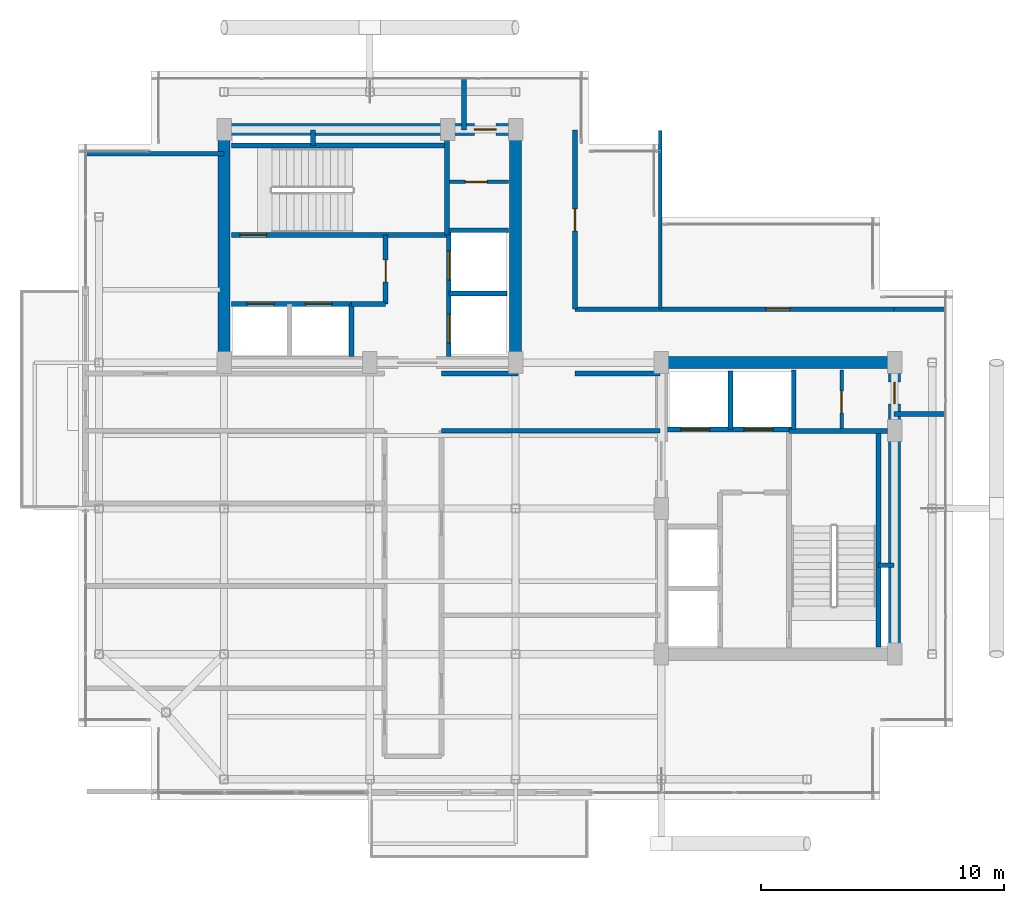
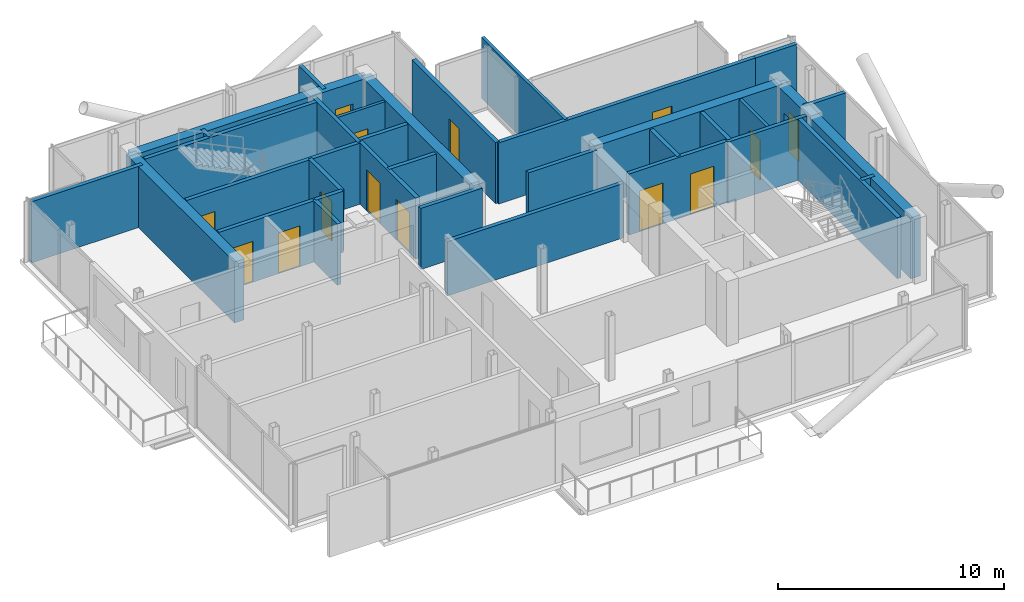
# One storey, part 15 of 18: 34 walls, 14 doors, 14 openings.
"""IFC4 building model written with IfcOpenShell, lengths in metres."""

from ifc_helpers import new_model, si_unit, direction, frame, frame_2d, origin, place, context, subcontext, project, spatial, rectangle, extrude, material, layer, layer_set, type_object, element, fill, save


model = new_model("IFC4")

# Units and contexts
model_context = context("Model", 3, precision=1e-05, world=origin(), true_north=direction((0.0, 1.0)))
body_context = subcontext(model_context, "Body", "Model", "MODEL_VIEW")
ifc_project = project(units=[si_unit("LENGTHUNIT", "METRE"), si_unit("AREAUNIT", "SQUARE_METRE"), si_unit("VOLUMEUNIT", "CUBIC_METRE"), si_unit("PLANEANGLEUNIT", "RADIAN"), si_unit("MASSUNIT", "GRAM", prefix="KILO"), si_unit("THERMODYNAMICTEMPERATUREUNIT", "KELVIN"), si_unit("POWERUNIT", "WATT")], contexts=[model_context])

# Site, building, storey
site_placement = place(None, origin())
site = spatial("IfcSite", under=ifc_project, at=site_placement, CompositionType="ELEMENT")
building_placement = place(site_placement, origin())
building = spatial("IfcBuilding", under=site, at=building_placement, Name="Svarakhadi Broadcast Tower", CompositionType="ELEMENT")
storey_placement = place(building_placement, frame((0.0, 0.0, 281.699951171875)))
storey = spatial("IfcBuildingStorey", under=building, at=storey_placement, Name="L71", CompositionType="ELEMENT", Elevation=281.699951171875)

# Walls
ifc_material_1 = material(Name="Double-Stud Acoustic Studio Partition STC-62", Category="gypsum")
ifc_layer_1 = layer(ifc_material_1, 0.199951171875)
ifc_layer_set_1 = layer_set([ifc_layer_1], Name="Double-Stud Acoustic Studio Partition STC-62")
wall_type_1 = type_object("IfcWallType", Name="Wall_Acoust_200", PredefinedType="PARTITIONING", material=ifc_layer_set_1)
wall_1_placement = place(storey_placement, frame((0.300048828125, 26.60009765625, 0.0), z_axis=(0.0, 0.0, 1.0), x_axis=(1.0, 0.0, 0.0)))
element("IfcWall", 1, at=wall_1_placement, inside=storey, type_object=wall_type_1, Name="L71 Summit Cigar and Cognac Salon Wall", PredefinedType="PARTITIONING", context=body_context, shape_type="SweptSolid", body=[
    extrude(rectangle(XDim=5.699951171875, YDim=0.199951171875, at=frame_2d((2.85009765625, 0.0))), origin(), (0.0, 0.0, 1.0), 3.300048828125),
])
ifc_material_2 = material(Name="Concrete C40/50 (IS 456 M50)", Category="concrete")
ifc_layer_2 = layer(ifc_material_2, 0.199951171875)
ifc_layer_set_2 = layer_set([ifc_layer_2], Name="Concrete C40/50 (IS 456 M50)")
wall_type_2 = type_object("IfcWallType", Name="Wall_Fire_200", PredefinedType="SOLIDWALL", material=ifc_layer_set_2)
for number, where, z_axis, x_axis, name in (
    (2, (9.659912109375, 26.93994140625, 0.0), (0.0, 0.0, 1.0), (0.0, 1.0, 0.0), "L71 Wet Riser Shaft East Wall"),
    (3, (32.93994140625, 9.659912109375, 0.0), (0.0, 0.0, 1.0), (1.0, 0.0, 0.0), "L71 HV Busduct Riser Shaft North Wall"),
):
    element("IfcWall", number, at=place(storey_placement, frame(where, z_axis=z_axis, x_axis=x_axis)), inside=storey, type_object=wall_type_2, Name=name, PredefinedType="SOLIDWALL", context=body_context, shape_type="SweptSolid", body=[
        extrude(rectangle(XDim=0.64013671875, YDim=0.199951171875, at=frame_2d((0.320068359375, 0.0))), origin(), (0.0, 0.0, 1.0), 3.300048828125),
    ])
wall_2_placement = place(storey_placement, frame((14.949951171875, 17.550048828125, 0.0), z_axis=(0.0, 0.0, 1.0), x_axis=(1.0, 0.0, 0.0)))
element("IfcWall", 4, at=wall_2_placement, inside=storey, type_object=wall_type_2, Name="L71 Upper Tower Concourse Wall", PredefinedType="SOLIDWALL", context=body_context, shape_type="SweptSolid", body=[
    extrude(rectangle(XDim=3.150146484375, YDim=0.199951171875, at=frame_2d((1.5751953125, 0.0))), origin(), (0.0, 0.0, 1.0), 3.300048828125),
])
wall_3_placement = place(storey_placement, frame((15.8798828125, 27.580078125, 0.0), z_axis=(0.0, 0.0, 1.0), x_axis=(0.0, 1.0, 0.0)))
element("IfcWall", 5, at=wall_3_placement, inside=storey, type_object=wall_type_2, Name="L71 Upper Tower Concourse Wall", PredefinedType="SOLIDWALL", context=body_context, shape_type="SweptSolid", body=[
    extrude(rectangle(XDim=2.119873046875, YDim=0.199951171875, at=frame_2d((1.06005859375, 0.0))), origin(), (0.0, 0.0, 1.0), 3.300048828125),
])

# Wall, opening, door
wall_4_placement = place(storey_placement, frame((20.449951171875, 27.580078125, 0.0), z_axis=(0.0, 0.0, 1.0), x_axis=(0.0, -1.0, 0.0)))
wall_4 = element("IfcWall", 6, at=wall_4_placement, inside=storey, type_object=wall_type_2, Name="L71 Upper Tower Concourse Wall", PredefinedType="SOLIDWALL", context=body_context, shape_type="SweptSolid", body=[
    extrude(rectangle(XDim=7.380126953125, YDim=0.199951171875, at=frame_2d((3.68994140625, 0.0))), origin(), (0.0, 0.0, 1.0), 3.300048828125),
])
opening_1_placement = place(wall_4_placement, frame((3.2548828125, 0.0, 0.0)))
opening_1 = element("IfcOpeningElement", 7, at=opening_1_placement, cuts=wall_4, Name="Opening D-13", PredefinedType="OPENING", context=body_context, shape_type="SweptSolid", body=[
    extrude(rectangle(XDim=0.89990234375, YDim=2.10009765625, at=frame_2d((0.449951171875, 1.050048828125))), frame((0.0, 0.10986328125, 0.0), z_axis=(0.0, -1.0, 0.0), x_axis=(1.0, 0.0, 0.0)), (0.0, 0.0, 1.0), 0.219970703125),
])
ifc_material_3 = material(Name="Solid-Core Teak Veneer Acoustic Timber Leaf", Category="wood")
door_type_1 = type_object("IfcDoorType", Name="Door_Closet_D13", OperationType="SINGLE_SWING_RIGHT", PredefinedType="DOOR", material=ifc_material_3)
door_1_placement = place(opening_1_placement, origin())
door_1 = element("IfcDoor", 8, at=door_1_placement, inside=storey, type_object=door_type_1, Name="L71 Accessible Visitor Washroom WC Door", OperationType="SINGLE_SWING_RIGHT", OverallHeight=2.10009765625, OverallWidth=0.89990234375, PredefinedType="DOOR", context=body_context, shape_type="SweptSolid", body=[
    extrude(rectangle(XDim=0.89990234375, YDim=2.10009765625, at=frame_2d((0.449951171875, 1.050048828125))), frame((0.0, 0.02490234375, 0.0), z_axis=(0.0, -1.0, 0.0), x_axis=(1.0, 0.0, 0.0)), (0.0, 0.0, 1.0), 0.050048828125),
])
fill(opening_1, door_1)

wall_5_placement = place(storey_placement, frame((20.449951171875, 20.199951171875, 0.0), z_axis=(0.0, 0.0, 1.0), x_axis=(1.0, 0.0, 0.0)))
wall_5 = element("IfcWall", 9, at=wall_5_placement, inside=storey, type_object=wall_type_2, Name="L71 Upper Tower Concourse Wall", PredefinedType="SOLIDWALL", context=body_context, shape_type="SweptSolid", body=[
    extrude(rectangle(XDim=13.130126953125, YDim=0.199951171875, at=frame_2d((6.56494140625, 0.0))), origin(), (0.0, 0.0, 1.0), 3.300048828125),
])
opening_2_placement = place(wall_5_placement, frame((7.85009765625, 0.0, 0.0)))
opening_2 = element("IfcOpeningElement", 10, at=opening_2_placement, cuts=wall_5, Name="Opening D-08", PredefinedType="OPENING", context=body_context, shape_type="SweptSolid", body=[
    extrude(rectangle(XDim=1.0, YDim=2.199951171875, at=frame_2d((0.5, 1.10009765625))), frame((0.0, 0.10986328125, 0.0), z_axis=(0.0, -1.0, 0.0), x_axis=(1.0, 0.0, 0.0)), (0.0, 0.0, 1.0), 0.219970703125),
])
door_type_2 = type_object("IfcDoorType", Name="Door_Suite_D08", OperationType="SINGLE_SWING_LEFT", PredefinedType="DOOR", material=ifc_material_3)
door_2_placement = place(opening_2_placement, origin())
door_2 = element("IfcDoor", 11, at=door_2_placement, inside=storey, type_object=door_type_2, Name="L71 Harbour Sky Club Reading Room Door", OperationType="SINGLE_SWING_LEFT", OverallHeight=2.199951171875, OverallWidth=1.0, PredefinedType="DOOR", context=body_context, shape_type="SweptSolid", body=[
    extrude(rectangle(XDim=1.0, YDim=2.199951171875, at=frame_2d((0.5, 1.10009765625))), frame((0.0, 0.02490234375, 0.0), z_axis=(0.0, -1.0, 0.0), x_axis=(1.0, 0.0, 0.0)), (0.0, 0.0, 1.0), 0.050048828125),
])
fill(opening_2, door_2)

# Walls
for number, where, z_axis, x_axis, name in (
    (12, (33.580078125, 20.199951171875, 0.0), (0.0, 0.0, 1.0), (1.0, 0.0, 0.0), "L71 Upper Tower Concourse Wall"),
    (13, (35.699951171875, 15.8798828125, 0.0), (0.0, 0.0, 1.0), (-1.0, 0.0, 0.0), "L71 Upper Tower Concourse Wall"),
):
    element("IfcWall", number, at=place(storey_placement, frame(where, z_axis=z_axis, x_axis=x_axis)), inside=storey, type_object=wall_type_2, Name=name, PredefinedType="SOLIDWALL", context=body_context, shape_type="SweptSolid", body=[
        extrude(rectangle(XDim=2.119873046875, YDim=0.199951171875, at=frame_2d((1.06005859375, 0.0))), origin(), (0.0, 0.0, 1.0), 3.300048828125),
    ])
wall_6_placement = place(storey_placement, frame((20.449951171875, 17.550048828125, 0.0), z_axis=(0.0, 0.0, 1.0), x_axis=(1.0, 0.0, 0.0)))
element("IfcWall", 14, at=wall_6_placement, inside=storey, type_object=wall_type_2, Name="L71 Upper Tower Concourse Wall", PredefinedType="SOLIDWALL", context=body_context, shape_type="SweptSolid", body=[
    extrude(rectangle(XDim=3.5, YDim=0.199951171875, at=frame_2d((1.75, 0.0))), origin(), (0.0, 0.0, 1.0), 3.300048828125),
])
wall_7_placement = place(storey_placement, frame((23.949951171875, 15.199951171875, 0.0), z_axis=(0.0, 0.0, 1.0), x_axis=(-1.0, 0.0, 0.0)))
element("IfcWall", 15, at=wall_7_placement, inside=storey, type_object=wall_type_2, Name="L71 Upper Tower Concourse Wall", PredefinedType="SOLIDWALL", context=body_context, shape_type="SweptSolid", body=[
    extrude(rectangle(XDim=9.0, YDim=0.199951171875, at=frame_2d((4.5, 0.0))), origin(), (0.0, 0.0, 1.0), 2.93212890625),
])

# Wall, opening, door
ifc_material_4 = material(Name="Autoclaved Aerated Concrete Blockwork 150 mm", Category="masonry")
ifc_layer_3 = layer(ifc_material_4, 0.14990234375)
ifc_layer_set_3 = layer_set([ifc_layer_3], Name="Autoclaved Aerated Concrete Blockwork 150 mm")
wall_type_3 = type_object("IfcWallType", Name="Wall_Part_150", PredefinedType="PARTITIONING", material=ifc_layer_set_3)
wall_8_placement = place(storey_placement, frame((15.280029296875, 25.43994140625, 0.0), z_axis=(0.0, 0.0, 1.0), x_axis=(1.0, 0.0, 0.0)))
wall_8 = element("IfcWall", 16, at=wall_8_placement, inside=storey, type_object=wall_type_3, Name="L71 West Core Dual Store Wall", PredefinedType="PARTITIONING", context=body_context, shape_type="SweptSolid", body=[
    extrude(rectangle(XDim=2.419921875, YDim=0.14990234375, at=frame_2d((1.2099609375, 0.0))), origin(), (0.0, 0.0, 1.0), 3.300048828125),
])
opening_3_placement = place(wall_8_placement, frame((0.64990234375, 0.0, 0.0)))
opening_3 = element("IfcOpeningElement", 17, at=opening_3_placement, cuts=wall_8, Name="Opening D-03", PredefinedType="OPENING", context=body_context, shape_type="SweptSolid", body=[
    extrude(rectangle(XDim=0.89990234375, YDim=2.14990234375, at=frame_2d((0.449951171875, 1.074951171875))), frame((0.0, 0.0849609375, 0.0), z_axis=(0.0, -1.0, 0.0), x_axis=(1.0, 0.0, 0.0)), (0.0, 0.0, 1.0), 0.169921875),
])
ifc_material_5 = material(Name="Galvanised Powder-Coated Fire-Rated Steel Leaf", Category="steel")
door_type_3 = type_object("IfcDoorType", Name="Door_Fire_D03", OperationType="SINGLE_SWING_LEFT", PredefinedType="DOOR", material=ifc_material_5)
door_3_placement = place(opening_3_placement, origin())
door_3 = element("IfcDoor", 18, at=door_3_placement, inside=storey, type_object=door_type_3, Name="L71 West Core Store B Door", OperationType="SINGLE_SWING_LEFT", OverallHeight=2.14990234375, OverallWidth=0.89990234375, PredefinedType="DOOR", context=body_context, shape_type="SweptSolid", body=[
    extrude(rectangle(XDim=0.89990234375, YDim=2.14990234375, at=frame_2d((0.449951171875, 1.074951171875))), frame((0.0, 0.02490234375, 0.0), z_axis=(0.0, -1.0, 0.0), x_axis=(1.0, 0.0, 0.0)), (0.0, 0.0, 1.0), 0.050048828125),
])
fill(opening_3, door_3)

wall_9_placement = place(storey_placement, frame((31.419921875, 15.280029296875, 0.0), z_axis=(0.0, 0.0, 1.0), x_axis=(0.0, 1.0, 0.0)))
wall_9 = element("IfcWall", 19, at=wall_9_placement, inside=storey, type_object=wall_type_3, Name="L71 East Core Dual Store Wall", PredefinedType="PARTITIONING", context=body_context, shape_type="SweptSolid", body=[
    extrude(rectangle(XDim=2.419921875, YDim=0.14990234375, at=frame_2d((1.2099609375, 0.0))), origin(), (0.0, 0.0, 1.0), 3.300048828125),
])
opening_4_placement = place(wall_9_placement, frame((0.64990234375, 0.0, 0.0)))
opening_4 = element("IfcOpeningElement", 20, at=opening_4_placement, cuts=wall_9, Name="Opening D-04", PredefinedType="OPENING", context=body_context, shape_type="SweptSolid", body=[
    extrude(rectangle(XDim=0.89990234375, YDim=2.14990234375, at=frame_2d((0.449951171875, 1.074951171875))), frame((0.0, 0.0849609375, 0.0), z_axis=(0.0, -1.0, 0.0), x_axis=(1.0, 0.0, 0.0)), (0.0, 0.0, 1.0), 0.169921875),
])
door_type_4 = type_object("IfcDoorType", Name="Door_Fire_D04", OperationType="SINGLE_SWING_RIGHT", PredefinedType="DOOR", material=ifc_material_5)
door_4_placement = place(opening_4_placement, origin())
door_4 = element("IfcDoor", 21, at=door_4_placement, inside=storey, type_object=door_type_4, Name="L71 East Core Store B Door", OperationType="SINGLE_SWING_RIGHT", OverallHeight=2.14990234375, OverallWidth=0.89990234375, PredefinedType="DOOR", context=body_context, shape_type="SweptSolid", body=[
    extrude(rectangle(XDim=0.89990234375, YDim=2.14990234375, at=frame_2d((0.449951171875, 1.074951171875))), frame((0.0, 0.02490234375, 0.0), z_axis=(0.0, -1.0, 0.0), x_axis=(1.0, 0.0, 0.0)), (0.0, 0.0, 1.0), 0.050048828125),
])
fill(opening_4, door_4)

# Wall
wall_10_placement = place(storey_placement, frame((23.949951171875, 20.199951171875, 0.0), z_axis=(0.0, 0.0, 1.0), x_axis=(0.0, 1.0, 0.0)))
element("IfcWall", 22, at=wall_10_placement, inside=storey, type_object=wall_type_3, Name="L71 Accessible Visitor Washroom WC Wall", PredefinedType="PARTITIONING", context=body_context, shape_type="SweptSolid", body=[
    extrude(rectangle(XDim=7.35009765625, YDim=0.14990234375, at=frame_2d((3.675048828125, 0.0))), origin(), (0.0, 0.0, 1.0), 3.300048828125),
])

# Wall, opening, door
ifc_material_6 = material(Name="Concrete C50/60 (IS 456 M60)", Category="concrete")
ifc_layer_4 = layer(ifc_material_6, 0.199951171875)
ifc_layer_set_4 = layer_set([ifc_layer_4], Name="Concrete C50/60 (IS 456 M60)")
wall_type_4 = type_object("IfcWallType", Name="Wall_Shear_200", PredefinedType="SHEAR", material=ifc_layer_set_4)
wall_11_placement = place(storey_placement, frame((6.300048828125, 23.260009765625, 0.0), z_axis=(0.0, 0.0, 1.0), x_axis=(1.0, 0.0, 0.0)))
wall_11 = element("IfcWall", 23, at=wall_11_placement, inside=storey, type_object=wall_type_4, Name="L71 Stair ST-01 South RC Shaft Wall", PredefinedType="SHEAR", context=body_context, shape_type="SweptSolid", body=[
    extrude(rectangle(XDim=8.8798828125, YDim=0.199951171875, at=frame_2d((4.43994140625, 0.0))), origin(), (0.0, 0.0, 1.0), 3.300048828125),
])
opening_5_placement = place(wall_11_placement, frame((0.35009765625, 0.0, 0.0)))
opening_5 = element("IfcOpeningElement", 24, at=opening_5_placement, cuts=wall_11, Name="Opening D-01", PredefinedType="OPENING", context=body_context, shape_type="SweptSolid", body=[
    extrude(rectangle(XDim=1.10009765625, YDim=2.199951171875, at=frame_2d((0.550048828125, 1.10009765625))), frame((0.0, 0.10986328125, 0.0), z_axis=(0.0, -1.0, 0.0), x_axis=(1.0, 0.0, 0.0)), (0.0, 0.0, 1.0), 0.219970703125),
])
door_type_5 = type_object("IfcDoorType", Name="Door_Stair_D01", OperationType="SINGLE_SWING_LEFT", PredefinedType="DOOR", material=ifc_material_5)
door_5_placement = place(opening_5_placement, origin())
door_5 = element("IfcDoor", 25, at=door_5_placement, inside=storey, type_object=door_type_5, Name="L71 Protected Exit Stair ST-01 Fire Door", OperationType="SINGLE_SWING_LEFT", OverallHeight=2.199951171875, OverallWidth=1.10009765625, PredefinedType="DOOR", context=body_context, shape_type="SweptSolid", body=[
    extrude(rectangle(XDim=1.10009765625, YDim=2.199951171875, at=frame_2d((0.550048828125, 1.10009765625))), frame((0.0, 0.02490234375, 0.0), z_axis=(0.0, -1.0, 0.0), x_axis=(1.0, 0.0, 0.0)), (0.0, 0.0, 1.0), 0.050048828125),
])
fill(opening_5, door_5)

# Walls
wall_12_placement = place(storey_placement, frame((6.300048828125, 26.93994140625, 0.0), z_axis=(0.0, 0.0, 1.0), x_axis=(1.0, 0.0, 0.0)))
element("IfcWall", 26, at=wall_12_placement, inside=storey, type_object=wall_type_4, Name="L71 Stair ST-01 North RC Shaft Wall", PredefinedType="SHEAR", context=body_context, shape_type="SweptSolid", body=[
    extrude(rectangle(XDim=8.8798828125, YDim=0.199951171875, at=frame_2d((4.43994140625, 0.0))), origin(), (0.0, 0.0, 1.0), 3.300048828125),
])
wall_13_placement = place(storey_placement, frame((15.179931640625, 23.260009765625, 0.0), z_axis=(0.0, 0.0, 1.0), x_axis=(0.0, 1.0, 0.0)))
element("IfcWall", 27, at=wall_13_placement, inside=storey, type_object=wall_type_4, Name="L71 Stair ST-01 East RC Shaft Wall", PredefinedType="SHEAR", context=body_context, shape_type="SweptSolid", body=[
    extrude(rectangle(XDim=4.0400390625, YDim=0.199951171875, at=frame_2d((2.02001953125, 0.0))), origin(), (0.0, 0.0, 1.0), 3.300048828125),
])
wall_14_placement = place(storey_placement, frame((32.93994140625, 6.300048828125, 0.0), z_axis=(0.0, 0.0, 1.0), x_axis=(0.0, 1.0, 0.0)))
element("IfcWall", 28, at=wall_14_placement, inside=storey, type_object=wall_type_4, Name="L71 Stair ST-02 East RC Shaft Wall", PredefinedType="SHEAR", context=body_context, shape_type="SweptSolid", body=[
    extrude(rectangle(XDim=8.8798828125, YDim=0.199951171875, at=frame_2d((4.43994140625, 0.0))), origin(), (0.0, 0.0, 1.0), 3.300048828125),
])
wall_15_placement = place(storey_placement, frame((29.260009765625, 15.179931640625, 0.0), z_axis=(0.0, 0.0, 1.0), x_axis=(1.0, 0.0, 0.0)))
element("IfcWall", 29, at=wall_15_placement, inside=storey, type_object=wall_type_4, Name="L71 Stair ST-02 North RC Shaft Wall", PredefinedType="SHEAR", context=body_context, shape_type="SweptSolid", body=[
    extrude(rectangle(XDim=4.0400390625, YDim=0.199951171875, at=frame_2d((2.02001953125, 0.0))), origin(), (0.0, 0.0, 1.0), 3.300048828125),
])

# Wall, openings, doors
wall_16_placement = place(storey_placement, frame((6.300048828125, 20.419921875, 0.0), z_axis=(0.0, 0.0, 1.0), x_axis=(1.0, 0.0, 0.0)))
wall_16 = element("IfcWall", 30, at=wall_16_placement, inside=storey, type_object=wall_type_4, Name="L71 Firefighting Lift LF-01/02 Shaft Wall", PredefinedType="SHEAR", context=body_context, shape_type="SweptSolid", body=[
    extrude(rectangle(XDim=4.949951171875, YDim=0.199951171875, at=frame_2d((2.47509765625, 0.0))), origin(), (0.0, 0.0, 1.0), 3.300048828125),
])
opening_6_placement = place(wall_16_placement, frame((0.64990234375, 0.0, 0.0)))
opening_6 = element("IfcOpeningElement", 31, at=opening_6_placement, cuts=wall_16, Name="Opening LD-01", PredefinedType="OPENING", context=body_context, shape_type="SweptSolid", body=[
    extrude(rectangle(XDim=1.10009765625, YDim=2.199951171875, at=frame_2d((0.550048828125, 1.10009765625))), frame((0.0, 0.10986328125, 0.0), z_axis=(0.0, -1.0, 0.0), x_axis=(1.0, 0.0, 0.0)), (0.0, 0.0, 1.0), 0.219970703125),
])
opening_7_placement = place(wall_16_placement, frame((3.050048828125, 0.0, 0.0)))
opening_7 = element("IfcOpeningElement", 32, at=opening_7_placement, cuts=wall_16, Name="Opening LD-01", PredefinedType="OPENING", context=body_context, shape_type="SweptSolid", body=[
    extrude(rectangle(XDim=1.10009765625, YDim=2.199951171875, at=frame_2d((0.550048828125, 1.10009765625))), frame((0.0, 0.10986328125, 0.0), z_axis=(0.0, -1.0, 0.0), x_axis=(1.0, 0.0, 0.0)), (0.0, 0.0, 1.0), 0.219970703125),
])
door_type_6 = type_object("IfcDoorType", Name="Door_Lift_LD01", OperationType="SLIDING_TO_LEFT", PredefinedType="DOOR", material=ifc_material_5)
door_6_placement = place(opening_6_placement, origin())
door_6 = element("IfcDoor", 33, at=door_6_placement, inside=storey, type_object=door_type_6, Name="L71 Firefighting Lift LF-01 Landing Door", OperationType="SLIDING_TO_LEFT", OverallHeight=2.199951171875, OverallWidth=1.10009765625, PredefinedType="DOOR", context=body_context, shape_type="SweptSolid", body=[
    extrude(rectangle(XDim=1.10009765625, YDim=2.199951171875, at=frame_2d((0.550048828125, 1.10009765625))), frame((0.0, 0.02490234375, 0.0), z_axis=(0.0, -1.0, 0.0), x_axis=(1.0, 0.0, 0.0)), (0.0, 0.0, 1.0), 0.050048828125),
])
fill(opening_6, door_6)
door_7_placement = place(opening_7_placement, origin())
door_7 = element("IfcDoor", 34, at=door_7_placement, inside=storey, type_object=door_type_6, Name="L71 Firefighting Lift LF-02 Landing Door", OperationType="SLIDING_TO_LEFT", OverallHeight=2.199951171875, OverallWidth=1.10009765625, PredefinedType="DOOR", context=body_context, shape_type="SweptSolid", body=[
    extrude(rectangle(XDim=1.10009765625, YDim=2.199951171875, at=frame_2d((0.550048828125, 1.10009765625))), frame((0.0, 0.02490234375, 0.0), z_axis=(0.0, -1.0, 0.0), x_axis=(1.0, 0.0, 0.0)), (0.0, 0.0, 1.0), 0.050048828125),
])
fill(opening_7, door_7)

# Walls
wall_17_placement = place(storey_placement, frame((11.25, 18.25, 0.0), z_axis=(0.0, 0.0, 1.0), x_axis=(0.0, 1.0, 0.0)))
element("IfcWall", 35, at=wall_17_placement, inside=storey, type_object=wall_type_4, Name="L71 Firefighting Lift LF-02 East Wall", PredefinedType="SHEAR", context=body_context, shape_type="SweptSolid", body=[
    extrude(rectangle(XDim=2.169921875, YDim=0.199951171875, at=frame_2d((1.0849609375, 0.0))), origin(), (0.0, 0.0, 1.0), 3.300048828125),
])
wall_18_placement = place(storey_placement, frame((11.25, 20.419921875, 0.0), z_axis=(0.0, 0.0, 1.0), x_axis=(1.0, 0.0, 0.0)))
element("IfcWall", 36, at=wall_18_placement, inside=storey, type_object=wall_type_4, Name="L71 West Firefighting Lobby South Wall", PredefinedType="SHEAR", context=body_context, shape_type="SweptSolid", body=[
    extrude(rectangle(XDim=1.39990234375, YDim=0.199951171875, at=frame_2d((0.699951171875, 0.0))), origin(), (0.0, 0.0, 1.0), 3.300048828125),
])

# Wall, opening, door
wall_19_placement = place(storey_placement, frame((12.64990234375, 20.419921875, 0.0), z_axis=(0.0, 0.0, 1.0), x_axis=(0.0, 1.0, 0.0)))
wall_19 = element("IfcWall", 37, at=wall_19_placement, inside=storey, type_object=wall_type_4, Name="L71 West Firefighting Lobby East Wall", PredefinedType="SHEAR", context=body_context, shape_type="SweptSolid", body=[
    extrude(rectangle(XDim=2.840087890625, YDim=0.199951171875, at=frame_2d((1.419921875, 0.0))), origin(), (0.0, 0.0, 1.0), 3.300048828125),
])
opening_8_placement = place(wall_19_placement, frame((0.89990234375, 0.0, 0.0)))
opening_8 = element("IfcOpeningElement", 38, at=opening_8_placement, cuts=wall_19, Name="Opening D-03", PredefinedType="OPENING", context=body_context, shape_type="SweptSolid", body=[
    extrude(rectangle(XDim=0.89990234375, YDim=2.14990234375, at=frame_2d((0.449951171875, 1.074951171875))), frame((0.0, 0.10986328125, 0.0), z_axis=(0.0, -1.0, 0.0), x_axis=(1.0, 0.0, 0.0)), (0.0, 0.0, 1.0), 0.219970703125),
])
door_8_placement = place(opening_8_placement, origin())
door_8 = element("IfcDoor", 39, at=door_8_placement, inside=storey, type_object=door_type_3, Name="L71 West Firefighting Lobby Fire Door", OperationType="SINGLE_SWING_LEFT", OverallHeight=2.14990234375, OverallWidth=0.89990234375, PredefinedType="DOOR", context=body_context, shape_type="SweptSolid", body=[
    extrude(rectangle(XDim=0.89990234375, YDim=2.14990234375, at=frame_2d((0.449951171875, 1.074951171875))), frame((0.0, 0.02490234375, 0.0), z_axis=(0.0, -1.0, 0.0), x_axis=(1.0, 0.0, 0.0)), (0.0, 0.0, 1.0), 0.050048828125),
])
fill(opening_8, door_8)

# Wall, openings, doors
wall_20_placement = place(storey_placement, frame((15.25, 18.25, 0.0), z_axis=(0.0, 0.0, 1.0), x_axis=(0.0, 1.0, 0.0)))
wall_20 = element("IfcWall", 40, at=wall_20_placement, inside=storey, type_object=wall_type_4, Name="L71 High-Rise Lift LF-13/14 West Shaft Wall", PredefinedType="SHEAR", context=body_context, shape_type="SweptSolid", body=[
    extrude(rectangle(XDim=5.199951171875, YDim=0.199951171875, at=frame_2d((2.60009765625, 0.0))), origin(), (0.0, 0.0, 1.0), 3.300048828125),
])
opening_9_placement = place(wall_20_placement, frame((0.550048828125, 0.0, 0.0)))
opening_9 = element("IfcOpeningElement", 41, at=opening_9_placement, cuts=wall_20, Name="Opening LD-02", PredefinedType="OPENING", context=body_context, shape_type="SweptSolid", body=[
    extrude(rectangle(XDim=1.199951171875, YDim=2.199951171875, at=frame_2d((0.60009765625, 1.10009765625))), frame((0.0, 0.10986328125, 0.0), z_axis=(0.0, -1.0, 0.0), x_axis=(1.0, 0.0, 0.0)), (0.0, 0.0, 1.0), 0.219970703125),
])
opening_10_placement = place(wall_20_placement, frame((3.14990234375, 0.0, 0.0)))
opening_10 = element("IfcOpeningElement", 42, at=opening_10_placement, cuts=wall_20, Name="Opening LD-02", PredefinedType="OPENING", context=body_context, shape_type="SweptSolid", body=[
    extrude(rectangle(XDim=1.199951171875, YDim=2.199951171875, at=frame_2d((0.60009765625, 1.10009765625))), frame((0.0, 0.10986328125, 0.0), z_axis=(0.0, -1.0, 0.0), x_axis=(1.0, 0.0, 0.0)), (0.0, 0.0, 1.0), 0.219970703125),
])
door_type_7 = type_object("IfcDoorType", Name="Door_Lift_LD02", OperationType="SLIDING_TO_RIGHT", PredefinedType="DOOR", material=ifc_material_5)
door_9_placement = place(opening_9_placement, origin())
door_9 = element("IfcDoor", 43, at=door_9_placement, inside=storey, type_object=door_type_7, Name="L71 High-Rise Lift LF-13 Landing Door", OperationType="SLIDING_TO_RIGHT", OverallHeight=2.199951171875, OverallWidth=1.199951171875, PredefinedType="DOOR", context=body_context, shape_type="SweptSolid", body=[
    extrude(rectangle(XDim=1.199951171875, YDim=2.199951171875, at=frame_2d((0.60009765625, 1.10009765625))), frame((0.0, 0.02490234375, 0.0), z_axis=(0.0, -1.0, 0.0), x_axis=(1.0, 0.0, 0.0)), (0.0, 0.0, 1.0), 0.050048828125),
])
fill(opening_9, door_9)
door_10_placement = place(opening_10_placement, origin())
door_10 = element("IfcDoor", 44, at=door_10_placement, inside=storey, type_object=door_type_7, Name="L71 High-Rise Lift LF-14 Landing Door", OperationType="SLIDING_TO_RIGHT", OverallHeight=2.199951171875, OverallWidth=1.199951171875, PredefinedType="DOOR", context=body_context, shape_type="SweptSolid", body=[
    extrude(rectangle(XDim=1.199951171875, YDim=2.199951171875, at=frame_2d((0.60009765625, 1.10009765625))), frame((0.0, 0.02490234375, 0.0), z_axis=(0.0, -1.0, 0.0), x_axis=(1.0, 0.0, 0.0)), (0.0, 0.0, 1.0), 0.050048828125),
])
fill(opening_10, door_10)

# Walls
wall_21_placement = place(storey_placement, frame((15.25, 20.85009765625, 0.0), z_axis=(0.0, 0.0, 1.0), x_axis=(1.0, 0.0, 0.0)))
element("IfcWall", 45, at=wall_21_placement, inside=storey, type_object=wall_type_4, Name="L71 High-Rise Lift LF-13/14 Divider", PredefinedType="SHEAR", context=body_context, shape_type="SweptSolid", body=[
    extrude(rectangle(XDim=2.39990234375, YDim=0.199951171875, at=frame_2d((1.199951171875, 0.0))), origin(), (0.0, 0.0, 1.0), 3.300048828125),
])
wall_22_placement = place(storey_placement, frame((15.25, 23.449951171875, 0.0), z_axis=(0.0, 0.0, 1.0), x_axis=(1.0, 0.0, 0.0)))
element("IfcWall", 46, at=wall_22_placement, inside=storey, type_object=wall_type_4, Name="L71 High-Rise Lift LF-13/14 North Wall", PredefinedType="SHEAR", context=body_context, shape_type="SweptSolid", body=[
    extrude(rectangle(XDim=2.449951171875, YDim=0.199951171875, at=frame_2d((1.22509765625, 0.0))), origin(), (0.0, 0.0, 1.0), 3.300048828125),
])

# Wall, openings, doors
wall_23_placement = place(storey_placement, frame((24.25, 15.25, 0.0), z_axis=(0.0, 0.0, 1.0), x_axis=(1.0, 0.0, 0.0)))
wall_23 = element("IfcWall", 47, at=wall_23_placement, inside=storey, type_object=wall_type_4, Name="L71 High-Rise Lift LF-15/16 South Shaft Wall", PredefinedType="SHEAR", context=body_context, shape_type="SweptSolid", body=[
    extrude(rectangle(XDim=5.199951171875, YDim=0.199951171875, at=frame_2d((2.60009765625, 0.0))), origin(), (0.0, 0.0, 1.0), 3.300048828125),
])
opening_11_placement = place(wall_23_placement, frame((0.550048828125, 0.0, 0.0)))
opening_11 = element("IfcOpeningElement", 48, at=opening_11_placement, cuts=wall_23, Name="Opening LD-02", PredefinedType="OPENING", context=body_context, shape_type="SweptSolid", body=[
    extrude(rectangle(XDim=1.199951171875, YDim=2.199951171875, at=frame_2d((0.60009765625, 1.10009765625))), frame((0.0, 0.10986328125, 0.0), z_axis=(0.0, -1.0, 0.0), x_axis=(1.0, 0.0, 0.0)), (0.0, 0.0, 1.0), 0.219970703125),
])
opening_12_placement = place(wall_23_placement, frame((3.14990234375, 0.0, 0.0)))
opening_12 = element("IfcOpeningElement", 49, at=opening_12_placement, cuts=wall_23, Name="Opening LD-02", PredefinedType="OPENING", context=body_context, shape_type="SweptSolid", body=[
    extrude(rectangle(XDim=1.199951171875, YDim=2.199951171875, at=frame_2d((0.60009765625, 1.10009765625))), frame((0.0, 0.10986328125, 0.0), z_axis=(0.0, -1.0, 0.0), x_axis=(1.0, 0.0, 0.0)), (0.0, 0.0, 1.0), 0.219970703125),
])
door_11_placement = place(opening_11_placement, origin())
door_11 = element("IfcDoor", 50, at=door_11_placement, inside=storey, type_object=door_type_7, Name="L71 High-Rise Lift LF-15 Landing Door", OperationType="SLIDING_TO_RIGHT", OverallHeight=2.199951171875, OverallWidth=1.199951171875, PredefinedType="DOOR", context=body_context, shape_type="SweptSolid", body=[
    extrude(rectangle(XDim=1.199951171875, YDim=2.199951171875, at=frame_2d((0.60009765625, 1.10009765625))), frame((0.0, 0.02490234375, 0.0), z_axis=(0.0, -1.0, 0.0), x_axis=(1.0, 0.0, 0.0)), (0.0, 0.0, 1.0), 0.050048828125),
])
fill(opening_11, door_11)
door_12_placement = place(opening_12_placement, origin())
door_12 = element("IfcDoor", 51, at=door_12_placement, inside=storey, type_object=door_type_7, Name="L71 High-Rise Lift LF-16 Landing Door", OperationType="SLIDING_TO_RIGHT", OverallHeight=2.199951171875, OverallWidth=1.199951171875, PredefinedType="DOOR", context=body_context, shape_type="SweptSolid", body=[
    extrude(rectangle(XDim=1.199951171875, YDim=2.199951171875, at=frame_2d((0.60009765625, 1.10009765625))), frame((0.0, 0.02490234375, 0.0), z_axis=(0.0, -1.0, 0.0), x_axis=(1.0, 0.0, 0.0)), (0.0, 0.0, 1.0), 0.050048828125),
])
fill(opening_12, door_12)

# Walls
wall_24_placement = place(storey_placement, frame((26.85009765625, 15.25, 0.0), z_axis=(0.0, 0.0, 1.0), x_axis=(0.0, 1.0, 0.0)))
element("IfcWall", 52, at=wall_24_placement, inside=storey, type_object=wall_type_4, Name="L71 High-Rise Lift LF-15/16 Divider", PredefinedType="SHEAR", context=body_context, shape_type="SweptSolid", body=[
    extrude(rectangle(XDim=2.39990234375, YDim=0.199951171875, at=frame_2d((1.199951171875, 0.0))), origin(), (0.0, 0.0, 1.0), 3.300048828125),
])
wall_25_placement = place(storey_placement, frame((29.449951171875, 15.25, 0.0), z_axis=(0.0, 0.0, 1.0), x_axis=(0.0, 1.0, 0.0)))
element("IfcWall", 53, at=wall_25_placement, inside=storey, type_object=wall_type_4, Name="L71 High-Rise Lift LF-15/16 East Wall", PredefinedType="SHEAR", context=body_context, shape_type="SweptSolid", body=[
    extrude(rectangle(XDim=2.449951171875, YDim=0.199951171875, at=frame_2d((1.22509765625, 0.0))), origin(), (0.0, 0.0, 1.0), 3.300048828125),
])

# Wall, opening, door
ifc_layer_5 = layer(ifc_material_6, 0.5)
ifc_layer_set_5 = layer_set([ifc_layer_5], Name="Concrete C50/60 (IS 456 M60)")
wall_type_5 = type_object("IfcWallType", Name="Wall_Shear_500", PredefinedType="SHEAR", material=ifc_layer_set_5)
wall_26_placement = place(storey_placement, frame((6.0, 27.60009765625, 0.0), z_axis=(0.0, 0.0, 1.0), x_axis=(1.0, 0.0, 0.0)))
wall_26 = element("IfcWall", 54, at=wall_26_placement, inside=storey, type_object=wall_type_5, Name="L71 West Core North Shear Wall", PredefinedType="SHEAR", context=body_context, shape_type="SweptSolid", body=[
    extrude(rectangle(XDim=12.0, YDim=0.5, at=frame_2d((6.0, 0.0))), origin(), (0.0, 0.0, 1.0), 3.300048828125),
])
opening_13_placement = place(wall_26_placement, frame((10.300048828125, 0.0, 0.0)))
opening_13 = element("IfcOpeningElement", 55, at=opening_13_placement, cuts=wall_26, Name="Opening D-03", PredefinedType="OPENING", context=body_context, shape_type="SweptSolid", body=[
    extrude(rectangle(XDim=0.89990234375, YDim=2.14990234375, at=frame_2d((0.449951171875, 1.074951171875))), frame((0.0, 0.260009765625, 0.0), z_axis=(0.0, -1.0, 0.0), x_axis=(1.0, 0.0, 0.0)), (0.0, 0.0, 1.0), 0.52001953125),
])
door_13_placement = place(opening_13_placement, origin())
door_13 = element("IfcDoor", 56, at=door_13_placement, inside=storey, type_object=door_type_3, Name="L71 West Core Store A Door", OperationType="SINGLE_SWING_LEFT", OverallHeight=2.14990234375, OverallWidth=0.89990234375, PredefinedType="DOOR", context=body_context, shape_type="SweptSolid", body=[
    extrude(rectangle(XDim=0.89990234375, YDim=2.14990234375, at=frame_2d((0.449951171875, 1.074951171875))), frame((0.0, 0.02490234375, 0.0), z_axis=(0.0, -1.0, 0.0), x_axis=(1.0, 0.0, 0.0)), (0.0, 0.0, 1.0), 0.050048828125),
])
fill(opening_13, door_13)

# Walls
for number, where, z_axis, x_axis, name in (
    (57, (6.0, 18.0, 0.0), (0.0, 0.0, 1.0), (0.0, 1.0, 0.0), "L71 West Core West Shear Wall"),
    (58, (18.0, 18.0, 0.0), (0.0, 0.0, 1.0), (0.0, 1.0, 0.0), "L71 West Core East Shear Wall"),
    (59, (24.0, 18.0, 0.0), (0.0, 0.0, 1.0), (1.0, 0.0, 0.0), "L71 East Core North Shear Wall"),
):
    element("IfcWall", number, at=place(storey_placement, frame(where, z_axis=z_axis, x_axis=x_axis)), inside=storey, type_object=wall_type_5, Name=name, PredefinedType="SHEAR", context=body_context, shape_type="SweptSolid", body=[
        extrude(rectangle(XDim=9.60009765625, YDim=0.5, at=frame_2d((4.800048828125, 0.0))), origin(), (0.0, 0.0, 1.0), 3.300048828125),
    ])

# Wall, opening, door
wall_27_placement = place(storey_placement, frame((33.60009765625, 6.0, 0.0), z_axis=(0.0, 0.0, 1.0), x_axis=(0.0, 1.0, 0.0)))
wall_27 = element("IfcWall", 60, at=wall_27_placement, inside=storey, type_object=wall_type_5, Name="L71 East Core East Shear Wall", PredefinedType="SHEAR", context=body_context, shape_type="SweptSolid", body=[
    extrude(rectangle(XDim=12.0, YDim=0.5, at=frame_2d((6.0, 0.0))), origin(), (0.0, 0.0, 1.0), 3.300048828125),
])
opening_14_placement = place(wall_27_placement, frame((10.300048828125, 0.0, 0.0)))
opening_14 = element("IfcOpeningElement", 61, at=opening_14_placement, cuts=wall_27, Name="Opening D-03", PredefinedType="OPENING", context=body_context, shape_type="SweptSolid", body=[
    extrude(rectangle(XDim=0.89990234375, YDim=2.14990234375, at=frame_2d((0.449951171875, 1.074951171875))), frame((0.0, 0.260009765625, 0.0), z_axis=(0.0, -1.0, 0.0), x_axis=(1.0, 0.0, 0.0)), (0.0, 0.0, 1.0), 0.52001953125),
])
door_14_placement = place(opening_14_placement, origin())
door_14 = element("IfcDoor", 62, at=door_14_placement, inside=storey, type_object=door_type_3, Name="L71 East Core Store A Door", OperationType="SINGLE_SWING_LEFT", OverallHeight=2.14990234375, OverallWidth=0.89990234375, PredefinedType="DOOR", context=body_context, shape_type="SweptSolid", body=[
    extrude(rectangle(XDim=0.89990234375, YDim=2.14990234375, at=frame_2d((0.449951171875, 1.074951171875))), frame((0.0, 0.02490234375, 0.0), z_axis=(0.0, -1.0, 0.0), x_axis=(1.0, 0.0, 0.0)), (0.0, 0.0, 1.0), 0.050048828125),
])
fill(opening_14, door_14)

save(model, "model.ifc")
